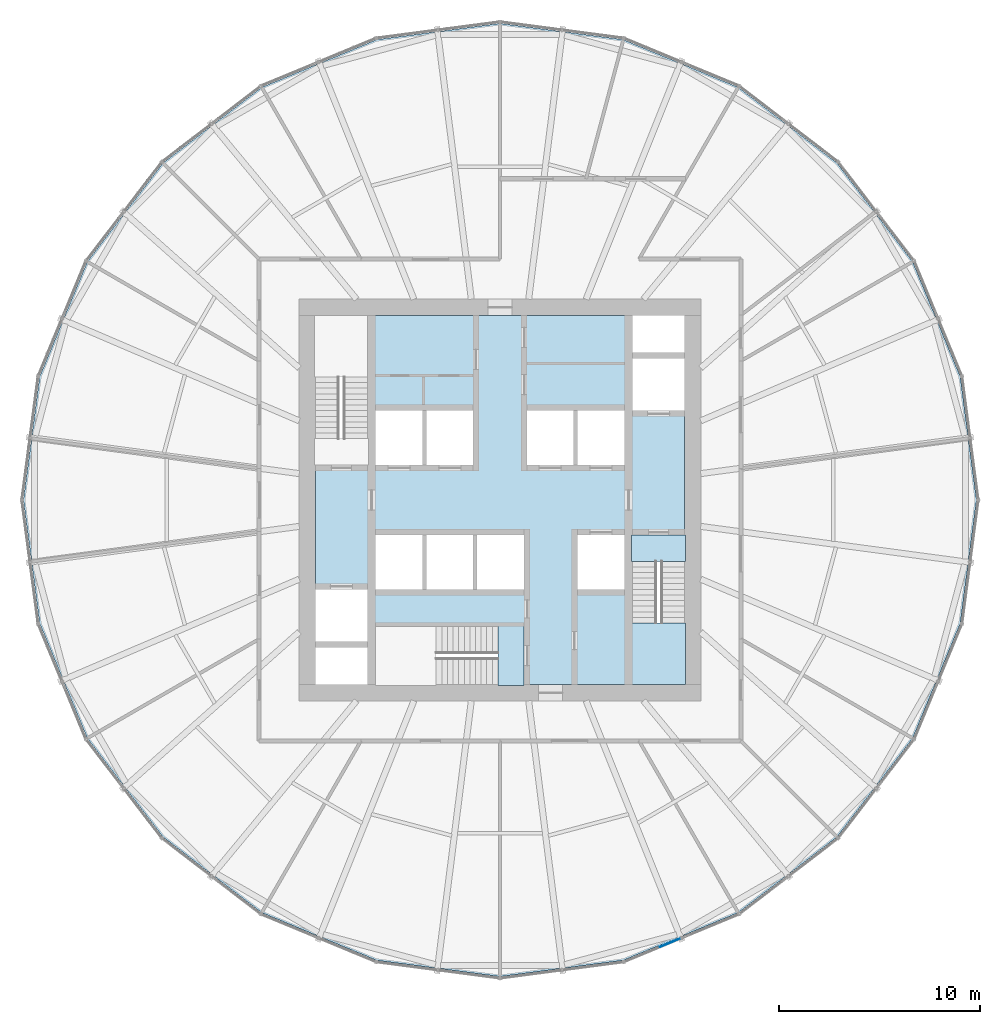
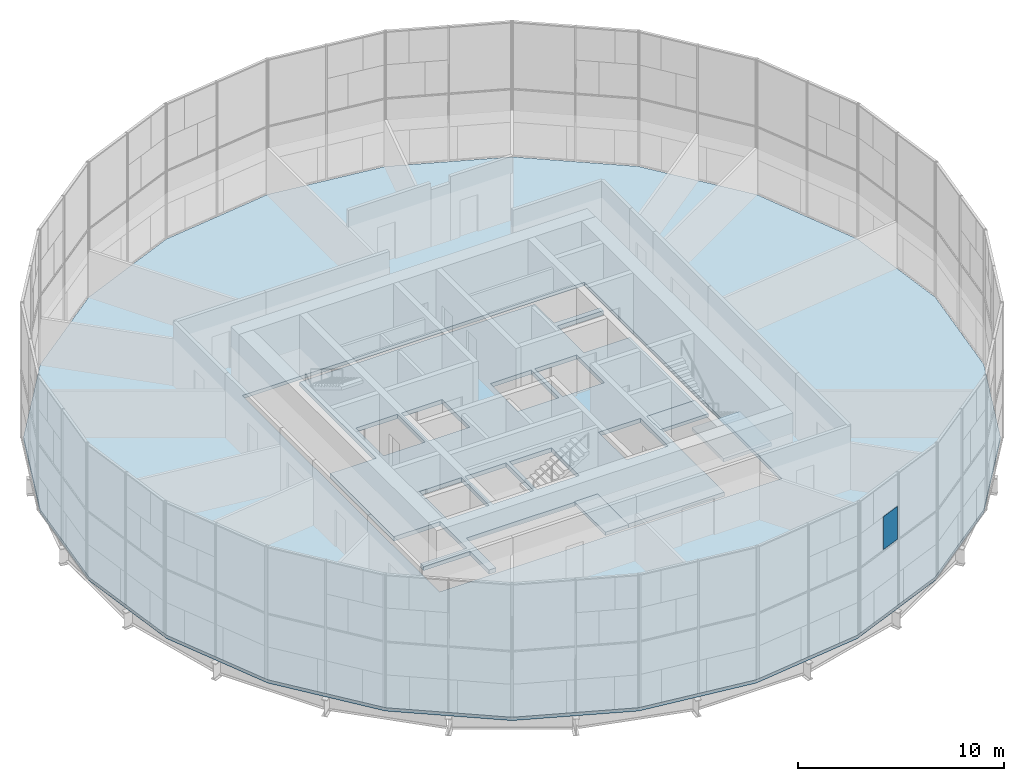
# One storey, part 11 of 18: 5 slabs, 1 plate, 2 elements without a shape of their own.
"""IFC4 building model written with IfcOpenShell, lengths in metres."""

import ifcopenshell
import ifcopenshell.guid

model = None  # the IFC model being written
_history = None  # IfcOwnerHistory: only IFC2X3 demands one
_inside = {}  # id of a spatial element -> (the spatial element, [elements in it])
_under = {}  # id of a project, library or spatial element -> (it, [spatial elements below it])
_declared = {}  # id of a project -> (the project, [libraries it declares])
_typed = {}  # id of a type object -> (the type object, [elements of that type])
_made_of = {}  # id of a material, layer set ... -> (it, [elements and type objects made of it])


def new_model(schema):
    """Start an empty IFC model of exactly this schema.

    Asked for "IFC4X3", IfcOpenShell would pick the latest addendum, in which some entities
    have other attributes; the version numbers below select the first issue.
    IFC2X3 requires an IfcOwnerHistory on every rooted entity: one is made here for all.
    """
    global model, _history
    if schema == "IFC4X3":
        model = ifcopenshell.file(schema_version=(4, 3, 0, 0))
    else:
        model = ifcopenshell.file(schema=schema)
    _inside.clear()
    _under.clear()
    _declared.clear()
    _typed.clear()
    _made_of.clear()
    _history = None
    if model.schema == "IFC2X3":
        org = make("IfcOrganization", Name="unknown")
        user = make(
            "IfcPersonAndOrganization",
            ThePerson=make("IfcPerson", FamilyName="unknown"),
            TheOrganization=org,
        )
        app = make(
            "IfcApplication",
            ApplicationDeveloper=org,
            Version="unknown",
            ApplicationFullName="unknown",
            ApplicationIdentifier="unknown",
        )
        _history = make(
            "IfcOwnerHistory",
            OwningUser=user,
            OwningApplication=app,
            ChangeAction="ADDED",
            CreationDate=0,
        )
    return model


def make(cls, **values):
    """One entity of the class cls with the attributes given. An attribute that is None is left unset."""
    return model.create_entity(
        cls, **{name: value for name, value in values.items() if value is not None}
    )


def rooted(cls, **values):
    """An entity with a GlobalId (a new one), such as an element, a storey or a relation."""
    return make(cls, GlobalId=ifcopenshell.guid.new(), OwnerHistory=_history, **values)


def si_unit(unit_type, name, prefix=None):
    """IfcSIUnit, for example si_unit("LENGTHUNIT", "METRE", prefix="MILLI")."""
    return make("IfcSIUnit", UnitType=unit_type, Prefix=prefix, Name=name)


def assignment(units):
    """IfcUnitAssignment: the units of a project."""
    return None if units is None else make("IfcUnitAssignment", Units=units)


def point(xyz):
    """IfcCartesianPoint."""
    return None if xyz is None else make("IfcCartesianPoint", Coordinates=xyz)


def direction(xyz):
    """IfcDirection."""
    return None if xyz is None else make("IfcDirection", DirectionRatios=xyz)


def frame(location, z_axis=None, x_axis=None):
    """IfcAxis2Placement3D, a coordinate frame: its origin and axes. An axis left out is left unset."""
    return make(
        "IfcAxis2Placement3D",
        Location=point(location),
        Axis=direction(z_axis),
        RefDirection=direction(x_axis),
    )


def frame_2d(location, x_axis=None):
    """IfcAxis2Placement2D, a coordinate frame in the plane: its origin and x axis."""
    return make(
        "IfcAxis2Placement2D", Location=point(location), RefDirection=direction(x_axis)
    )


def origin():
    """The frame at (0, 0, 0) with its axes left unset."""
    return frame((0.0, 0.0, 0.0))


def origin_2d():
    """The frame at (0, 0) in the plane with its x axis left unset."""
    return frame_2d((0.0, 0.0))


def place(relative_to, where):
    """IfcLocalPlacement: puts the frame where relative to a parent placement (None: the world)."""
    return make(
        "IfcLocalPlacement", PlacementRelTo=relative_to, RelativePlacement=where
    )


def context(
    kind, dimensions, precision=None, world=None, true_north=None, identifier=None
):
    """IfcGeometricRepresentationContext, for example the 3D "Model" context."""
    return make(
        "IfcGeometricRepresentationContext",
        ContextIdentifier=identifier,
        ContextType=kind,
        CoordinateSpaceDimension=dimensions,
        Precision=precision,
        WorldCoordinateSystem=world,
        TrueNorth=true_north,
    )


def subcontext(parent, identifier, kind, view, scale=None):
    """IfcGeometricRepresentationSubContext, for example "Body" below "Model"."""
    return make(
        "IfcGeometricRepresentationSubContext",
        ContextIdentifier=identifier,
        ContextType=kind,
        ParentContext=parent,
        TargetScale=scale,
        TargetView=view,
    )


def project(units=None, contexts=None):
    """IfcProject with its units and contexts."""
    return rooted(
        "IfcProject",
        Name="project",
        RepresentationContexts=contexts,
        UnitsInContext=assignment(units),
    )


def spatial(cls, under=None, at=None, **own):
    """A site, building, storey or space (cls), placed at a placement, below another one or the project."""
    s = rooted(cls, ObjectPlacement=at, **own)
    if under is not None:
        _under.setdefault(under.id(), (under, []))[1].append(s)
    return s


def polyline(points):
    """IfcPolyline through the points."""
    return make("IfcPolyline", Points=[point(p) for p in points])


def profile(cls, at=None, kind="AREA", **sizes):
    """A parametric profile (cls). Its sizes go by their IFC names, for example OverallWidth=200.0."""
    return make(cls, ProfileType=kind, Position=at, **sizes)


def rectangle(**sizes):
    """IfcRectangleProfileDef."""
    return profile("IfcRectangleProfileDef", **sizes)


def outline(outer, holes=None, kind="AREA"):
    """IfcArbitraryClosedProfileDef: a profile drawn as a closed curve; with holes, ...WithVoids."""
    if holes is None:
        return make("IfcArbitraryClosedProfileDef", ProfileType=kind, OuterCurve=outer)
    return make(
        "IfcArbitraryProfileDefWithVoids",
        ProfileType=kind,
        OuterCurve=outer,
        InnerCurves=holes,
    )


def extrude(swept, where, along, depth):
    """IfcExtrudedAreaSolid: the profile swept, set in the frame where, extruded along a direction by depth."""
    return make(
        "IfcExtrudedAreaSolid",
        SweptArea=swept,
        Position=where,
        ExtrudedDirection=direction(along),
        Depth=depth,
    )


def shape(context_of_items, identifier, shape_type, items):
    """IfcShapeRepresentation: the items that make up one representation, for example the "Body"."""
    return make(
        "IfcShapeRepresentation",
        ContextOfItems=context_of_items,
        RepresentationIdentifier=identifier,
        RepresentationType=shape_type,
        Items=items,
    )


def material(Name=None, Category=None):
    """IfcMaterial."""
    return make("IfcMaterial", Name=Name, Category=Category)


def layer(
    of_material, thickness, ventilated=None, Name=None, Category=None, Priority=None
):
    """IfcMaterialLayer: one layer of a wall or slab, of a material (None: an air gap)."""
    return make(
        "IfcMaterialLayer",
        Material=of_material,
        LayerThickness=thickness,
        IsVentilated=ventilated,
        Name=Name,
        Category=Category,
        Priority=Priority,
    )


def layer_set(layers, Name=None):
    """IfcMaterialLayerSet."""
    return make("IfcMaterialLayerSet", MaterialLayers=layers, LayerSetName=Name)


def made_of(thing, what):
    """Note that an element or type object is made of a material, layer set ...; save() writes the relation."""
    if what is not None:
        _made_of.setdefault(what.id(), (what, []))[1].append(thing)
    return thing


def type_object(cls, material=None, **own):
    """A type object (cls), such as IfcWallType, which elements share."""
    return made_of(rooted(cls, **own), material)


def element(
    cls,
    number,
    at=None,
    inside=None,
    cuts=None,
    type_object=None,
    material=None,
    context=None,
    identifier="Body",
    shape_type=None,
    held_by="IfcProductDefinitionShape",
    body=None,
    shapes=None,
    **own,
):
    """One element of the class cls, such as IfcWall. Its Tag is "e" and its number.

    at: its placement. inside: the storey or other place that contains it. cuts: it is an
    opening in that element (IfcRelVoidsElement). A single representation is given by context,
    identifier, shape_type and body (its items); several are given by shapes. held_by: the class
    of the entity that holds the representations. save() writes the other relations.
    """
    e = rooted(cls, Tag="e%d" % number, ObjectPlacement=at, **own)
    if body is not None:
        shapes = [shape(context, identifier, shape_type, body)]
    if shapes is not None:
        e.Representation = make(held_by, Representations=shapes)
    if inside is not None:
        _inside.setdefault(inside.id(), (inside, []))[1].append(e)
    if cuts is not None:
        rooted(
            "IfcRelVoidsElement", RelatingBuildingElement=cuts, RelatedOpeningElement=e
        )
    if type_object is not None:
        _typed.setdefault(type_object.id(), (type_object, []))[1].append(e)
    return made_of(e, material)


def aggregate(whole, parts):
    """IfcRelAggregates: a whole, such as a stair, and the parts it consists of."""
    return rooted("IfcRelAggregates", RelatingObject=whole, RelatedObjects=parts)


def save(model, path):
    """Write the relations noted so far, then the file.

    IfcRelAggregates (storeys below a building ...), IfcRelContainedInSpatialStructure (elements
    in a storey), IfcRelDefinesByType, IfcRelAssociatesMaterial and IfcRelDeclares: one each for
    every whole, place, type object, material and project.
    """
    for whole, parts in _under.values():
        aggregate(whole, parts)
    for where, things in _inside.values():
        rooted(
            "IfcRelContainedInSpatialStructure",
            RelatedElements=things,
            RelatingStructure=where,
        )
    for kind, things in _typed.values():
        rooted("IfcRelDefinesByType", RelatedObjects=things, RelatingType=kind)
    for what, things in _made_of.values():
        rooted("IfcRelAssociatesMaterial", RelatedObjects=things, RelatingMaterial=what)
    for by, libraries in _declared.values():
        rooted("IfcRelDeclares", RelatingContext=by, RelatedDefinitions=libraries)
    model.write(path)


model = new_model("IFC4")

# Units and contexts
model_context = context("Model", 3, precision=1e-05, world=origin(), true_north=direction((0.0, 1.0)))
body_context = subcontext(model_context, "Body", "Model", "MODEL_VIEW")
ifc_project = project(units=[si_unit("LENGTHUNIT", "METRE"), si_unit("AREAUNIT", "SQUARE_METRE"), si_unit("VOLUMEUNIT", "CUBIC_METRE"), si_unit("PLANEANGLEUNIT", "RADIAN"), si_unit("MASSUNIT", "GRAM", prefix="KILO")], contexts=[model_context])

# Site, building, storey
site_placement = place(None, origin())
site = spatial("IfcSite", under=ifc_project, at=site_placement, CompositionType="ELEMENT")
building_placement = place(site_placement, origin())
building = spatial("IfcBuilding", under=site, at=building_placement, Name="Golbaran Civic Tower", CompositionType="ELEMENT")
storey_placement = place(building_placement, frame((0.0, 0.0, 61.0)))
storey = spatial("IfcBuildingStorey", under=building, at=storey_placement, Name="L14", CompositionType="ELEMENT", Elevation=61.0)

# Slabs
ifc_material_1 = material(Name="Concrete LC30/33 lightweight on steel deck", Category="concrete")
ifc_layer_1 = layer(ifc_material_1, 0.199951171875, Name="Concrete LC30/33 lightweight on steel deck")
ifc_layer_set_1 = layer_set([ifc_layer_1], Name="Concrete LC30/33 lightweight on steel deck")
slab_type_1 = type_object("IfcSlabType", Name="COMPOSITE FLOOR SLAB 200", PredefinedType="FLOOR", material=ifc_layer_set_1)
slab_1_placement = place(storey_placement, frame((0.0, 0.0, -0.199951171875)))
element("IfcSlab", 1, at=slab_1_placement, inside=storey, type_object=slab_type_1, Name="Floor slab L14", PredefinedType="FLOOR", context=body_context, shape_type="SweptSolid", body=[
    extrude(outline(polyline([(20.55615234375, -11.8681640625), (16.7841796875, -16.7841796875), (11.8681640625, -20.55615234375), (6.143310546875, -22.927490234375), (0.0, -23.736328125), (-6.143310546875, -22.927490234375), (-11.8681640625, -20.55615234375), (-16.7841796875, -16.7841796875), (-20.55615234375, -11.8681640625), (-22.927490234375, -6.143310546875), (-23.736328125, 0.0), (-22.927490234375, 6.143310546875), (-20.55615234375, 11.8681640625), (-16.7841796875, 16.7841796875), (-11.8681640625, 20.55615234375), (-6.143310546875, 22.927490234375), (0.0, 23.736328125), (6.143310546875, 22.927490234375), (11.8681640625, 20.55615234375), (16.7841796875, 16.7841796875), (20.55615234375, 11.8681640625), (22.927490234375, 6.143310546875), (23.736328125, 0.0), (22.927490234375, -6.143310546875), (20.55615234375, -11.8681640625)]), holes=[polyline([(-9.60009765625, 9.60009765625), (-9.60009765625, -9.60009765625), (9.60009765625, -9.60009765625), (9.60009765625, 9.60009765625), (-9.60009765625, 9.60009765625)])]), origin(), (0.0, 0.0, 1.0), 0.199951171875),
])
ifc_material_2 = material(Name="Concrete C35/45", Category="concrete")
ifc_layer_2 = layer(ifc_material_2, 0.25, Name="Concrete C35/45")
ifc_layer_set_2 = layer_set([ifc_layer_2], Name="Concrete C35/45")
slab_type_2 = type_object("IfcSlabType", Name="CORE FLOOR SLAB 250", PredefinedType="FLOOR", material=ifc_layer_set_2)
slab_2_placement = place(storey_placement, frame((0.0, 0.0, -0.25)))
element("IfcSlab", 2, at=slab_2_placement, inside=storey, type_object=slab_type_2, Name="Core floor slab L14", PredefinedType="FLOOR", context=body_context, shape_type="SweptSolid", body=[
    extrude(outline(polyline([(6.60009765625, -1.75), (6.60009765625, -9.199951171875), (1.199951171875, -9.199951171875), (1.199951171875, -6.300048828125), (-6.199951171875, -6.300048828125), (-6.199951171875, -9.199951171875), (-6.60009765625, -9.199951171875), (-6.60009765625, -7.35009765625), (-9.199951171875, -7.35009765625), (-9.199951171875, -7.050048828125), (-6.60009765625, -7.050048828125), (-6.60009765625, -4.449951171875), (-9.199951171875, -4.449951171875), (-9.199951171875, 1.75), (-6.60009765625, 1.75), (-6.60009765625, 9.199951171875), (6.60009765625, 9.199951171875), (6.60009765625, 7.35009765625), (9.199951171875, 7.35009765625), (9.199951171875, 7.050048828125), (6.60009765625, 7.050048828125), (6.60009765625, 4.449951171875), (9.199951171875, 4.449951171875), (9.199951171875, -1.75), (6.60009765625, -1.75)]), holes=[polyline([(6.199951171875, -1.75), (3.85009765625, -1.75), (3.85009765625, -4.449951171875), (6.199951171875, -4.449951171875), (6.199951171875, -1.75)]), polyline([(6.199951171875, 4.449951171875), (3.85009765625, 4.449951171875), (3.85009765625, 1.75), (6.199951171875, 1.75), (6.199951171875, 4.449951171875)]), polyline([(3.64990234375, 4.449951171875), (1.35009765625, 4.449951171875), (1.35009765625, 1.75), (3.64990234375, 1.75), (3.64990234375, 4.449951171875)]), polyline([(1.199951171875, -1.75), (-1.14990234375, -1.75), (-1.14990234375, -4.449951171875), (1.199951171875, -4.449951171875), (1.199951171875, -1.75)]), polyline([(-1.35009765625, 4.449951171875), (-3.64990234375, 4.449951171875), (-3.64990234375, 1.75), (-1.35009765625, 1.75), (-1.35009765625, 4.449951171875)]), polyline([(-1.35009765625, -1.75), (-3.64990234375, -1.75), (-3.64990234375, -4.449951171875), (-1.35009765625, -4.449951171875), (-1.35009765625, -1.75)]), polyline([(-3.85009765625, -1.75), (-6.199951171875, -1.75), (-6.199951171875, -4.449951171875), (-3.85009765625, -4.449951171875), (-3.85009765625, -1.75)]), polyline([(-3.85009765625, 4.449951171875), (-6.199951171875, 4.449951171875), (-6.199951171875, 1.75), (-3.85009765625, 1.75), (-3.85009765625, 4.449951171875)])]), origin(), (0.0, 0.0, 1.0), 0.25),
])

# Curtain wall, plate
ifc_material_3 = material(Name="Aluminium and glass", Category="aluminium")
curtain_wall_type = type_object("IfcCurtainWallType", Name="INNER SKIN CURTAIN WALL", PredefinedType="NOTDEFINED", material=ifc_material_3)
curtain_wall_placement = place(storey_placement, origin())
curtain_wall = element("IfcCurtainWall", 3, at=curtain_wall_placement, inside=storey, type_object=curtain_wall_type, Name="Inner skin L14 facet 20 CW1", ObjectType="INNER SKIN", PredefinedType="USERDEFINED")
ifc_material_4 = material(Name="Clear insulating glass", Category="glass")
ifc_layer_3 = layer(ifc_material_4, 0.031982421875, Name="Clear insulating glass")
ifc_layer_set_3 = layer_set([ifc_layer_3], Name="Clear insulating glass")
plate_type = type_object("IfcPlateType", Name="INNER SKIN CURTAIN WALL GLAZED PANEL", PredefinedType="CURTAIN_PANEL", material=ifc_layer_set_3)
plate_placement = place(storey_placement, frame((8.487060546875, -22.04345703125, 4.032470703125), z_axis=(0.0, 0.0, 1.0), x_axis=(0.923879532505, 0.382683432381, 0.0)))
plate = element("IfcPlate", 4, at=plate_placement, type_object=plate_type, Name="CW1 panel 1.2 part 2", PredefinedType="CURTAIN_PANEL", context=body_context, shape_type="SweptSolid", body=[
    extrude(rectangle(XDim=1.124267578125, YDim=0.031982421875, at=origin_2d()), origin(), (0.0, 0.0, 1.0), 1.951171875),
])
aggregate(curtain_wall, [plate])

# Stair, slab
stair_type = type_object("IfcStairType", Name="EXIT STAIR 2600 x 7450, 4000 RISE", PredefinedType="HALF_TURN_STAIR", material=ifc_material_2)
stair_placement = place(storey_placement, origin())
stair = element("IfcStair", 5, at=stair_placement, inside=storey, type_object=stair_type, Name="Stair S2 L14", PredefinedType="HALF_TURN_STAIR")
ifc_layer_4 = layer(ifc_material_2, 0.199951171875, Name="Concrete C35/45")
ifc_layer_set_4 = layer_set([ifc_layer_4], Name="Concrete C35/45")
slab_type_3 = type_object("IfcSlabType", Name="STAIR LANDING 200", PredefinedType="LANDING", material=ifc_layer_set_4)
slab_3_placement = place(storey_placement, frame((0.0, 0.0, 1.800048828125)))
slab_3 = element("IfcSlab", 6, at=slab_3_placement, type_object=slab_type_3, Name="ST26074-40 landing 1", PredefinedType="LANDING", context=body_context, shape_type="SweptSolid", body=[
    extrude(outline(polyline([(9.25, -6.125), (9.25, -9.199951171875), (6.550048828125, -9.199951171875), (6.550048828125, -6.125), (9.25, -6.125)])), origin(), (0.0, 0.0, 1.0), 0.199951171875),
])
aggregate(stair, [slab_3])

# Slabs
slab_4_placement = place(storey_placement, frame((0.0, 0.0, -0.199951171875)))
element("IfcSlab", 7, at=slab_4_placement, inside=storey, type_object=slab_type_3, Name="Stair S2 floor landing L14", PredefinedType="LANDING", context=body_context, shape_type="SweptSolid", body=[
    extrude(outline(polyline([(9.25, -1.75), (9.25, -3.054931640625), (6.550048828125, -3.054931640625), (6.550048828125, -1.75), (9.25, -1.75)])), origin(), (0.0, 0.0, 1.0), 0.199951171875),
])
slab_5_placement = place(storey_placement, frame((0.0, 0.0, -0.199951171875)))
element("IfcSlab", 8, at=slab_5_placement, inside=storey, type_object=slab_type_3, Name="Stair S3 floor landing L14", PredefinedType="LANDING", context=body_context, shape_type="SweptSolid", body=[
    extrude(outline(polyline([(1.199951171875, -9.25), (-0.10498046875, -9.25), (-0.10498046875, -6.25), (1.199951171875, -6.25), (1.199951171875, -9.25)])), origin(), (0.0, 0.0, 1.0), 0.199951171875),
])

save(model, "model.ifc")
